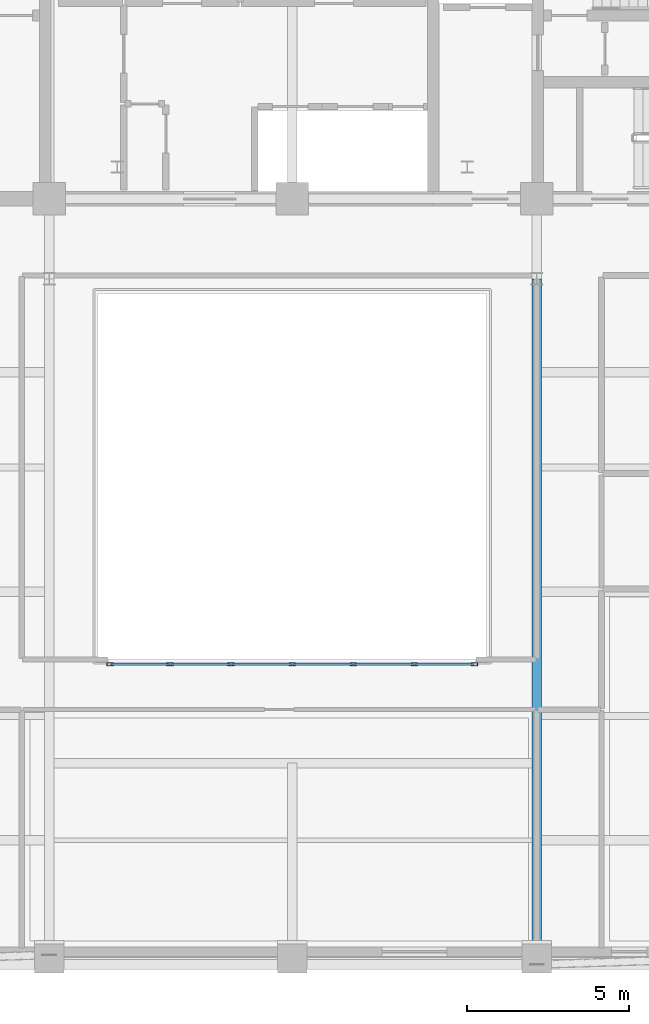
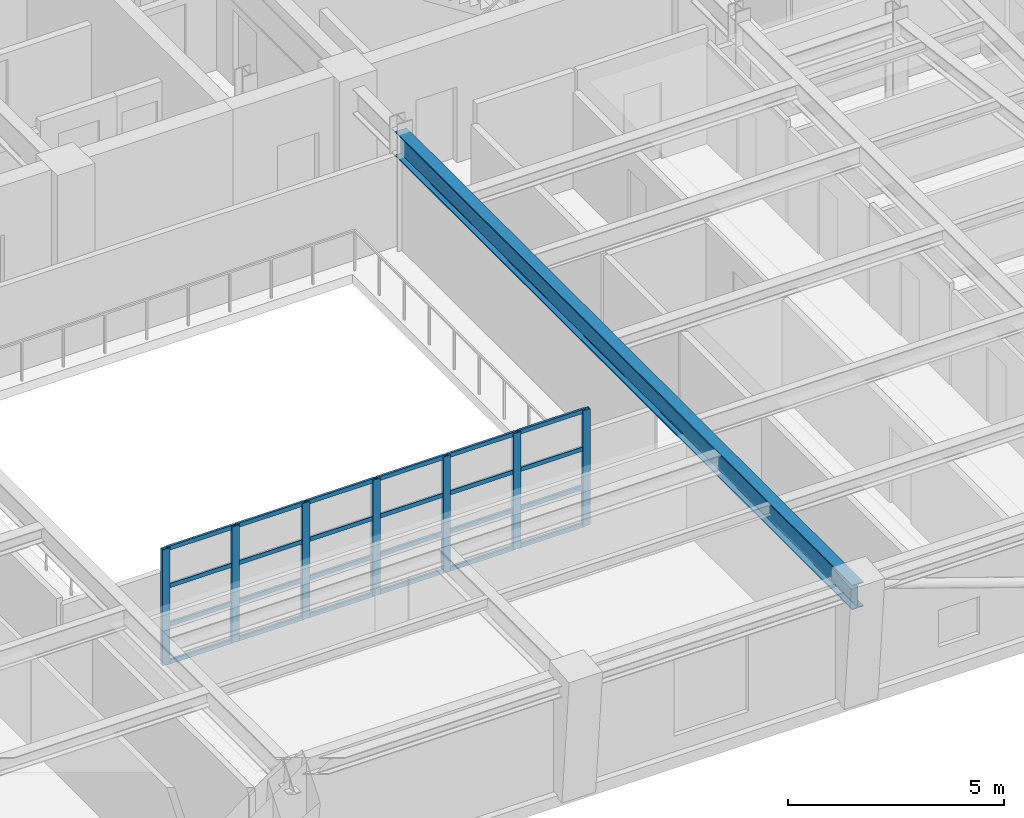
# One storey, part 2 of 13: 31 members, 1 beam, 1 element without a shape of its own.
"""IFC4 building model written with IfcOpenShell, lengths in metres."""

from ifc_helpers import new_model, si_unit, direction, frame, origin, origin_2d, place, context, subcontext, project, spatial, hollow_rectangle, i_section, extrude, material, layer, layer_set, material_profile, profile_set, type_object, element, aggregate, save


model = new_model("IFC4")

# Units and contexts
model_context = context("Model", 3, precision=1e-05, world=origin(), true_north=direction((0.0, 1.0)))
body_context = subcontext(model_context, "Body", "Model", "MODEL_VIEW")
ifc_project = project(units=[si_unit("LENGTHUNIT", "METRE"), si_unit("AREAUNIT", "SQUARE_METRE"), si_unit("VOLUMEUNIT", "CUBIC_METRE"), si_unit("PLANEANGLEUNIT", "RADIAN"), si_unit("MASSUNIT", "GRAM", prefix="KILO")], contexts=[model_context])

# Site, building, storey
site_placement = place(None, origin())
site = spatial("IfcSite", under=ifc_project, at=site_placement, CompositionType="ELEMENT")
building_placement = place(site_placement, origin())
building = spatial("IfcBuilding", under=site, at=building_placement, Name="Zarnavel Station Tower", CompositionType="ELEMENT")
storey_placement = place(building_placement, frame((0.0, 0.0, 240.0)))
storey = spatial("IfcBuildingStorey", under=building, at=storey_placement, Name="L65", CompositionType="ELEMENT", Elevation=240.0)

# Curtain wall, members
ifc_material_1 = material(Name="Aluminium Dark Anodised and Solar-Control Glass", Category="aluminium")
ifc_layer = layer(ifc_material_1, 0.179931640625)
ifc_layer_set = layer_set([ifc_layer], Name="CWS5")
curtain_wall_type = type_object("IfcCurtainWallType", Name="CWS5", PredefinedType="NOTDEFINED", material=ifc_layer_set)
curtain_wall_placement = place(storey_placement, origin())
curtain_wall = element("IfcCurtainWall", 1, at=curtain_wall_placement, inside=storey, type_object=curtain_wall_type, Name="L65 Curtain Wall CWS5-L65-AS", PredefinedType="NOTDEFINED")
ifc_material_2 = material(Name="Steel S355J2 (Black Fluoropolymer Coated)", Category="steel")
ifc_material_profile_1 = material_profile(ifc_material_2, hollow_rectangle(XDim=0.10009765625, YDim=0.199951171875, WallThickness=0.008056640625, at=origin_2d()), Name="RHS200x100x8")
ifc_profile_set_1 = profile_set([ifc_material_profile_1], Name="Steel S355J2 (Black Fluoropolymer Coated)")
member_type_1 = type_object("IfcMemberType", Name="CWS5_MUL", PredefinedType="MULLION", material=ifc_profile_set_1)
member_1_placement = place(storey_placement, frame((23.179931640625, 13.449951171875, 0.0), z_axis=(0.0, 0.0, 1.0), x_axis=(0.0, 1.0, 0.0)))
member_1 = element("IfcMember", 2, at=member_1_placement, type_object=member_type_1, Name="CW5 mullion 1", PredefinedType="MULLION", context=body_context, shape_type="SweptSolid", body=[
    extrude(hollow_rectangle(XDim=0.10009765625, YDim=0.199951171875, WallThickness=0.008056640625, at=origin_2d()), origin(), (0.0, 0.0, 1.0), 3.280029296875),
])
member_2_placement = place(storey_placement, frame((25.033447265625, 13.449951171875, 0.0), z_axis=(0.0, 0.0, 1.0), x_axis=(0.0, 1.0, 0.0)))
member_2 = element("IfcMember", 3, at=member_2_placement, type_object=member_type_1, Name="CW5 mullion 2", PredefinedType="MULLION", context=body_context, shape_type="SweptSolid", body=[
    extrude(hollow_rectangle(XDim=0.10009765625, YDim=0.199951171875, WallThickness=0.008056640625, at=origin_2d()), origin(), (0.0, 0.0, 1.0), 3.280029296875),
])
member_3_placement = place(storey_placement, frame((26.916748046875, 13.449951171875, 0.0), z_axis=(0.0, 0.0, 1.0), x_axis=(0.0, 1.0, 0.0)))
member_3 = element("IfcMember", 4, at=member_3_placement, type_object=member_type_1, Name="CW5 mullion 3", PredefinedType="MULLION", context=body_context, shape_type="SweptSolid", body=[
    extrude(hollow_rectangle(XDim=0.10009765625, YDim=0.199951171875, WallThickness=0.008056640625, at=origin_2d()), origin(), (0.0, 0.0, 1.0), 3.280029296875),
])
member_4_placement = place(storey_placement, frame((28.800048828125, 13.449951171875, 0.0), z_axis=(0.0, 0.0, 1.0), x_axis=(0.0, 1.0, 0.0)))
member_4 = element("IfcMember", 5, at=member_4_placement, type_object=member_type_1, Name="CW5 mullion 4", PredefinedType="MULLION", context=body_context, shape_type="SweptSolid", body=[
    extrude(hollow_rectangle(XDim=0.10009765625, YDim=0.199951171875, WallThickness=0.008056640625, at=origin_2d()), origin(), (0.0, 0.0, 1.0), 3.280029296875),
])
member_5_placement = place(storey_placement, frame((30.683349609375, 13.449951171875, 0.0), z_axis=(0.0, 0.0, 1.0), x_axis=(0.0, 1.0, 0.0)))
member_5 = element("IfcMember", 6, at=member_5_placement, type_object=member_type_1, Name="CW5 mullion 5", PredefinedType="MULLION", context=body_context, shape_type="SweptSolid", body=[
    extrude(hollow_rectangle(XDim=0.10009765625, YDim=0.199951171875, WallThickness=0.008056640625, at=origin_2d()), origin(), (0.0, 0.0, 1.0), 3.280029296875),
])
member_6_placement = place(storey_placement, frame((32.566650390625, 13.449951171875, 0.0), z_axis=(0.0, 0.0, 1.0), x_axis=(0.0, 1.0, 0.0)))
member_6 = element("IfcMember", 7, at=member_6_placement, type_object=member_type_1, Name="CW5 mullion 6", PredefinedType="MULLION", context=body_context, shape_type="SweptSolid", body=[
    extrude(hollow_rectangle(XDim=0.10009765625, YDim=0.199951171875, WallThickness=0.008056640625, at=origin_2d()), origin(), (0.0, 0.0, 1.0), 3.280029296875),
])
member_7_placement = place(storey_placement, frame((34.419921875, 13.449951171875, 0.0), z_axis=(0.0, 0.0, 1.0), x_axis=(0.0, 1.0, 0.0)))
member_7 = element("IfcMember", 8, at=member_7_placement, type_object=member_type_1, Name="CW5 mullion 7", PredefinedType="MULLION", context=body_context, shape_type="SweptSolid", body=[
    extrude(hollow_rectangle(XDim=0.10009765625, YDim=0.199951171875, WallThickness=0.008056640625, at=origin_2d()), origin(), (0.0, 0.0, 1.0), 3.280029296875),
])
ifc_material_3 = material(Name="Steel S355J2 (Black Fluoropolymer Coated)", Category="steel")
ifc_material_profile_2 = material_profile(ifc_material_3, hollow_rectangle(XDim=0.06005859375, YDim=0.1201171875, WallThickness=0.0048828125, at=origin_2d()), Name="RHS120x60x5")
ifc_profile_set_2 = profile_set([ifc_material_profile_2], Name="Steel S355J2 (Black Fluoropolymer Coated)")
member_type_2 = type_object("IfcMemberType", Name="CWS5_TRN", PredefinedType="USERDEFINED", material=ifc_profile_set_2)
member_8_placement = place(storey_placement, frame((23.2099609375, 13.449951171875, 0.030029296875), z_axis=(1.0, 0.0, 0.0), x_axis=(0.0, 1.0, 0.0)))
member_8 = element("IfcMember", 9, at=member_8_placement, type_object=member_type_2, Name="CW5 transom 1.1", ObjectType="TRANSOM", PredefinedType="USERDEFINED", context=body_context, shape_type="SweptSolid", body=[
    extrude(hollow_rectangle(XDim=0.06005859375, YDim=0.1201171875, WallThickness=0.0048828125, at=origin_2d()), origin(), (0.0, 0.0, 1.0), 1.79345703125),
])
member_9_placement = place(storey_placement, frame((23.2099609375, 13.449951171875, 1.09326171875), z_axis=(1.0, 0.0, 0.0), x_axis=(0.0, 1.0, 0.0)))
member_9 = element("IfcMember", 10, at=member_9_placement, type_object=member_type_2, Name="CW5 transom 1.2", ObjectType="TRANSOM", PredefinedType="USERDEFINED", context=body_context, shape_type="SweptSolid", body=[
    extrude(hollow_rectangle(XDim=0.06005859375, YDim=0.1201171875, WallThickness=0.0048828125, at=origin_2d()), origin(), (0.0, 0.0, 1.0), 1.79345703125),
])
member_10_placement = place(storey_placement, frame((23.2099609375, 13.449951171875, 2.186767578125), z_axis=(1.0, 0.0, 0.0), x_axis=(0.0, 1.0, 0.0)))
member_10 = element("IfcMember", 11, at=member_10_placement, type_object=member_type_2, Name="CW5 transom 1.3", ObjectType="TRANSOM", PredefinedType="USERDEFINED", context=body_context, shape_type="SweptSolid", body=[
    extrude(hollow_rectangle(XDim=0.06005859375, YDim=0.1201171875, WallThickness=0.0048828125, at=origin_2d()), origin(), (0.0, 0.0, 1.0), 1.79345703125),
])
member_11_placement = place(storey_placement, frame((23.2099609375, 13.449951171875, 3.25), z_axis=(1.0, 0.0, 0.0), x_axis=(0.0, 1.0, 0.0)))
member_11 = element("IfcMember", 12, at=member_11_placement, type_object=member_type_2, Name="CW5 transom 1.4", ObjectType="TRANSOM", PredefinedType="USERDEFINED", context=body_context, shape_type="SweptSolid", body=[
    extrude(hollow_rectangle(XDim=0.06005859375, YDim=0.1201171875, WallThickness=0.0048828125, at=origin_2d()), origin(), (0.0, 0.0, 1.0), 1.79345703125),
])
member_12_placement = place(storey_placement, frame((25.063232421875, 13.449951171875, 0.030029296875), z_axis=(1.0, 0.0, 0.0), x_axis=(0.0, 1.0, 0.0)))
member_12 = element("IfcMember", 13, at=member_12_placement, type_object=member_type_2, Name="CW5 transom 2.1", ObjectType="TRANSOM", PredefinedType="USERDEFINED", context=body_context, shape_type="SweptSolid", body=[
    extrude(hollow_rectangle(XDim=0.06005859375, YDim=0.1201171875, WallThickness=0.0048828125, at=origin_2d()), origin(), (0.0, 0.0, 1.0), 1.823486328125),
])
member_13_placement = place(storey_placement, frame((25.063232421875, 13.449951171875, 1.09326171875), z_axis=(1.0, 0.0, 0.0), x_axis=(0.0, 1.0, 0.0)))
member_13 = element("IfcMember", 14, at=member_13_placement, type_object=member_type_2, Name="CW5 transom 2.2", ObjectType="TRANSOM", PredefinedType="USERDEFINED", context=body_context, shape_type="SweptSolid", body=[
    extrude(hollow_rectangle(XDim=0.06005859375, YDim=0.1201171875, WallThickness=0.0048828125, at=origin_2d()), origin(), (0.0, 0.0, 1.0), 1.823486328125),
])
member_14_placement = place(storey_placement, frame((25.063232421875, 13.449951171875, 2.186767578125), z_axis=(1.0, 0.0, 0.0), x_axis=(0.0, 1.0, 0.0)))
member_14 = element("IfcMember", 15, at=member_14_placement, type_object=member_type_2, Name="CW5 transom 2.3", ObjectType="TRANSOM", PredefinedType="USERDEFINED", context=body_context, shape_type="SweptSolid", body=[
    extrude(hollow_rectangle(XDim=0.06005859375, YDim=0.1201171875, WallThickness=0.0048828125, at=origin_2d()), origin(), (0.0, 0.0, 1.0), 1.823486328125),
])
member_15_placement = place(storey_placement, frame((25.063232421875, 13.449951171875, 3.25), z_axis=(1.0, 0.0, 0.0), x_axis=(0.0, 1.0, 0.0)))
member_15 = element("IfcMember", 16, at=member_15_placement, type_object=member_type_2, Name="CW5 transom 2.4", ObjectType="TRANSOM", PredefinedType="USERDEFINED", context=body_context, shape_type="SweptSolid", body=[
    extrude(hollow_rectangle(XDim=0.06005859375, YDim=0.1201171875, WallThickness=0.0048828125, at=origin_2d()), origin(), (0.0, 0.0, 1.0), 1.823486328125),
])
member_16_placement = place(storey_placement, frame((26.94677734375, 13.449951171875, 0.030029296875), z_axis=(1.0, 0.0, 0.0), x_axis=(0.0, 1.0, 0.0)))
member_16 = element("IfcMember", 17, at=member_16_placement, type_object=member_type_2, Name="CW5 transom 3.1", ObjectType="TRANSOM", PredefinedType="USERDEFINED", context=body_context, shape_type="SweptSolid", body=[
    extrude(hollow_rectangle(XDim=0.06005859375, YDim=0.1201171875, WallThickness=0.0048828125, at=origin_2d()), origin(), (0.0, 0.0, 1.0), 1.8232421875),
])
member_17_placement = place(storey_placement, frame((26.94677734375, 13.449951171875, 1.09326171875), z_axis=(1.0, 0.0, 0.0), x_axis=(0.0, 1.0, 0.0)))
member_17 = element("IfcMember", 18, at=member_17_placement, type_object=member_type_2, Name="CW5 transom 3.2", ObjectType="TRANSOM", PredefinedType="USERDEFINED", context=body_context, shape_type="SweptSolid", body=[
    extrude(hollow_rectangle(XDim=0.06005859375, YDim=0.1201171875, WallThickness=0.0048828125, at=origin_2d()), origin(), (0.0, 0.0, 1.0), 1.8232421875),
])
member_18_placement = place(storey_placement, frame((26.94677734375, 13.449951171875, 2.186767578125), z_axis=(1.0, 0.0, 0.0), x_axis=(0.0, 1.0, 0.0)))
member_18 = element("IfcMember", 19, at=member_18_placement, type_object=member_type_2, Name="CW5 transom 3.3", ObjectType="TRANSOM", PredefinedType="USERDEFINED", context=body_context, shape_type="SweptSolid", body=[
    extrude(hollow_rectangle(XDim=0.06005859375, YDim=0.1201171875, WallThickness=0.0048828125, at=origin_2d()), origin(), (0.0, 0.0, 1.0), 1.8232421875),
])
member_19_placement = place(storey_placement, frame((26.94677734375, 13.449951171875, 3.25), z_axis=(1.0, 0.0, 0.0), x_axis=(0.0, 1.0, 0.0)))
member_19 = element("IfcMember", 20, at=member_19_placement, type_object=member_type_2, Name="CW5 transom 3.4", ObjectType="TRANSOM", PredefinedType="USERDEFINED", context=body_context, shape_type="SweptSolid", body=[
    extrude(hollow_rectangle(XDim=0.06005859375, YDim=0.1201171875, WallThickness=0.0048828125, at=origin_2d()), origin(), (0.0, 0.0, 1.0), 1.8232421875),
])
member_20_placement = place(storey_placement, frame((28.830078125, 13.449951171875, 0.030029296875), z_axis=(1.0, 0.0, 0.0), x_axis=(0.0, 1.0, 0.0)))
member_20 = element("IfcMember", 21, at=member_20_placement, type_object=member_type_2, Name="CW5 transom 4.1", ObjectType="TRANSOM", PredefinedType="USERDEFINED", context=body_context, shape_type="SweptSolid", body=[
    extrude(hollow_rectangle(XDim=0.06005859375, YDim=0.1201171875, WallThickness=0.0048828125, at=origin_2d()), origin(), (0.0, 0.0, 1.0), 1.8232421875),
])
member_21_placement = place(storey_placement, frame((28.830078125, 13.449951171875, 1.09326171875), z_axis=(1.0, 0.0, 0.0), x_axis=(0.0, 1.0, 0.0)))
member_21 = element("IfcMember", 22, at=member_21_placement, type_object=member_type_2, Name="CW5 transom 4.2", ObjectType="TRANSOM", PredefinedType="USERDEFINED", context=body_context, shape_type="SweptSolid", body=[
    extrude(hollow_rectangle(XDim=0.06005859375, YDim=0.1201171875, WallThickness=0.0048828125, at=origin_2d()), origin(), (0.0, 0.0, 1.0), 1.8232421875),
])
member_22_placement = place(storey_placement, frame((28.830078125, 13.449951171875, 2.186767578125), z_axis=(1.0, 0.0, 0.0), x_axis=(0.0, 1.0, 0.0)))
member_22 = element("IfcMember", 23, at=member_22_placement, type_object=member_type_2, Name="CW5 transom 4.3", ObjectType="TRANSOM", PredefinedType="USERDEFINED", context=body_context, shape_type="SweptSolid", body=[
    extrude(hollow_rectangle(XDim=0.06005859375, YDim=0.1201171875, WallThickness=0.0048828125, at=origin_2d()), origin(), (0.0, 0.0, 1.0), 1.8232421875),
])
member_23_placement = place(storey_placement, frame((28.830078125, 13.449951171875, 3.25), z_axis=(1.0, 0.0, 0.0), x_axis=(0.0, 1.0, 0.0)))
member_23 = element("IfcMember", 24, at=member_23_placement, type_object=member_type_2, Name="CW5 transom 4.4", ObjectType="TRANSOM", PredefinedType="USERDEFINED", context=body_context, shape_type="SweptSolid", body=[
    extrude(hollow_rectangle(XDim=0.06005859375, YDim=0.1201171875, WallThickness=0.0048828125, at=origin_2d()), origin(), (0.0, 0.0, 1.0), 1.8232421875),
])
member_24_placement = place(storey_placement, frame((30.71337890625, 13.449951171875, 0.030029296875), z_axis=(1.0, 0.0, 0.0), x_axis=(0.0, 1.0, 0.0)))
member_24 = element("IfcMember", 25, at=member_24_placement, type_object=member_type_2, Name="CW5 transom 5.1", ObjectType="TRANSOM", PredefinedType="USERDEFINED", context=body_context, shape_type="SweptSolid", body=[
    extrude(hollow_rectangle(XDim=0.06005859375, YDim=0.1201171875, WallThickness=0.0048828125, at=origin_2d()), origin(), (0.0, 0.0, 1.0), 1.8232421875),
])
member_25_placement = place(storey_placement, frame((30.71337890625, 13.449951171875, 1.09326171875), z_axis=(1.0, 0.0, 0.0), x_axis=(0.0, 1.0, 0.0)))
member_25 = element("IfcMember", 26, at=member_25_placement, type_object=member_type_2, Name="CW5 transom 5.2", ObjectType="TRANSOM", PredefinedType="USERDEFINED", context=body_context, shape_type="SweptSolid", body=[
    extrude(hollow_rectangle(XDim=0.06005859375, YDim=0.1201171875, WallThickness=0.0048828125, at=origin_2d()), origin(), (0.0, 0.0, 1.0), 1.8232421875),
])
member_26_placement = place(storey_placement, frame((30.71337890625, 13.449951171875, 2.186767578125), z_axis=(1.0, 0.0, 0.0), x_axis=(0.0, 1.0, 0.0)))
member_26 = element("IfcMember", 27, at=member_26_placement, type_object=member_type_2, Name="CW5 transom 5.3", ObjectType="TRANSOM", PredefinedType="USERDEFINED", context=body_context, shape_type="SweptSolid", body=[
    extrude(hollow_rectangle(XDim=0.06005859375, YDim=0.1201171875, WallThickness=0.0048828125, at=origin_2d()), origin(), (0.0, 0.0, 1.0), 1.8232421875),
])
member_27_placement = place(storey_placement, frame((30.71337890625, 13.449951171875, 3.25), z_axis=(1.0, 0.0, 0.0), x_axis=(0.0, 1.0, 0.0)))
member_27 = element("IfcMember", 28, at=member_27_placement, type_object=member_type_2, Name="CW5 transom 5.4", ObjectType="TRANSOM", PredefinedType="USERDEFINED", context=body_context, shape_type="SweptSolid", body=[
    extrude(hollow_rectangle(XDim=0.06005859375, YDim=0.1201171875, WallThickness=0.0048828125, at=origin_2d()), origin(), (0.0, 0.0, 1.0), 1.8232421875),
])
member_28_placement = place(storey_placement, frame((32.5966796875, 13.449951171875, 0.030029296875), z_axis=(1.0, 0.0, 0.0), x_axis=(0.0, 1.0, 0.0)))
member_28 = element("IfcMember", 29, at=member_28_placement, type_object=member_type_2, Name="CW5 transom 6.1", ObjectType="TRANSOM", PredefinedType="USERDEFINED", context=body_context, shape_type="SweptSolid", body=[
    extrude(hollow_rectangle(XDim=0.06005859375, YDim=0.1201171875, WallThickness=0.0048828125, at=origin_2d()), origin(), (0.0, 0.0, 1.0), 1.793212890625),
])
member_29_placement = place(storey_placement, frame((32.5966796875, 13.449951171875, 1.09326171875), z_axis=(1.0, 0.0, 0.0), x_axis=(0.0, 1.0, 0.0)))
member_29 = element("IfcMember", 30, at=member_29_placement, type_object=member_type_2, Name="CW5 transom 6.2", ObjectType="TRANSOM", PredefinedType="USERDEFINED", context=body_context, shape_type="SweptSolid", body=[
    extrude(hollow_rectangle(XDim=0.06005859375, YDim=0.1201171875, WallThickness=0.0048828125, at=origin_2d()), origin(), (0.0, 0.0, 1.0), 1.793212890625),
])
member_30_placement = place(storey_placement, frame((32.5966796875, 13.449951171875, 2.186767578125), z_axis=(1.0, 0.0, 0.0), x_axis=(0.0, 1.0, 0.0)))
member_30 = element("IfcMember", 31, at=member_30_placement, type_object=member_type_2, Name="CW5 transom 6.3", ObjectType="TRANSOM", PredefinedType="USERDEFINED", context=body_context, shape_type="SweptSolid", body=[
    extrude(hollow_rectangle(XDim=0.06005859375, YDim=0.1201171875, WallThickness=0.0048828125, at=origin_2d()), origin(), (0.0, 0.0, 1.0), 1.793212890625),
])
member_31_placement = place(storey_placement, frame((32.5966796875, 13.449951171875, 3.25), z_axis=(1.0, 0.0, 0.0), x_axis=(0.0, 1.0, 0.0)))
member_31 = element("IfcMember", 32, at=member_31_placement, type_object=member_type_2, Name="CW5 transom 6.4", ObjectType="TRANSOM", PredefinedType="USERDEFINED", context=body_context, shape_type="SweptSolid", body=[
    extrude(hollow_rectangle(XDim=0.06005859375, YDim=0.1201171875, WallThickness=0.0048828125, at=origin_2d()), origin(), (0.0, 0.0, 1.0), 1.793212890625),
])
aggregate(curtain_wall, [member_1, member_2, member_3, member_4, member_5, member_6, member_7, member_8, member_9, member_10, member_11, member_12, member_13, member_14, member_15, member_16, member_17, member_18, member_19, member_20, member_21, member_22, member_23, member_24, member_25, member_26, member_27, member_28, member_29, member_30, member_31])

# Beam
ifc_material_4 = material(Name="Steel S355J2", Category="steel")
ifc_material_profile_3 = material_profile(ifc_material_4, i_section(OverallWidth=0.300048828125, OverallDepth=0.699951171875, WebThickness=0.01708984375, FlangeThickness=0.031982421875, FilletRadius=0.027099609375, at=origin_2d()), Name="HEB700")
ifc_profile_set_3 = profile_set([ifc_material_profile_3], Name="Steel S355J2")
beam_type = type_object("IfcBeamType", Name="FG_HEB700", PredefinedType="USERDEFINED", material=ifc_profile_set_3)
beam_placement = place(storey_placement, frame((36.35009765625, 4.181884765625, 2.929931640625), z_axis=(0.0, 1.0, 0.0), x_axis=(-1.0, 0.0, 0.0)))
element("IfcBeam", 33, at=beam_placement, inside=storey, type_object=beam_type, Name="L65 South-Zone NS Girder 4", ObjectType="GIRDER", PredefinedType="USERDEFINED", context=body_context, shape_type="SweptSolid", body=[
    extrude(i_section(OverallWidth=0.300048828125, OverallDepth=0.699951171875, WebThickness=0.01708984375, FlangeThickness=0.031982421875, FilletRadius=0.027099609375, at=origin_2d()), origin(), (0.0, 0.0, 1.0), 21.168212890625),
])

save(model, "model.ifc")
